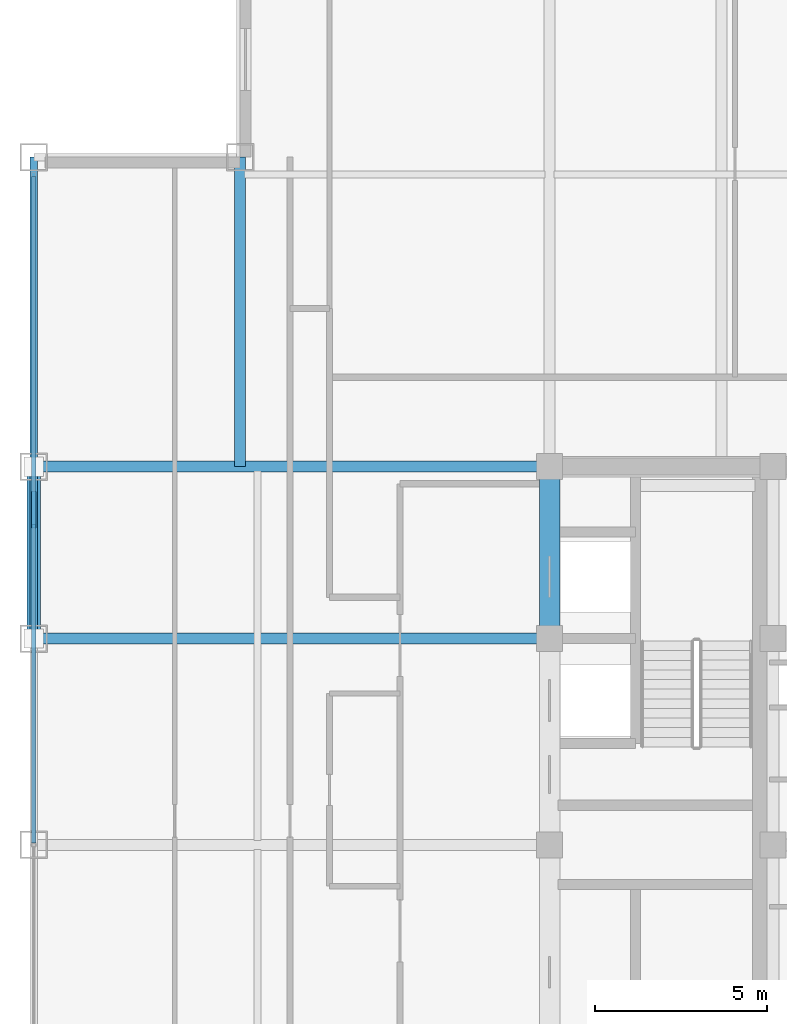
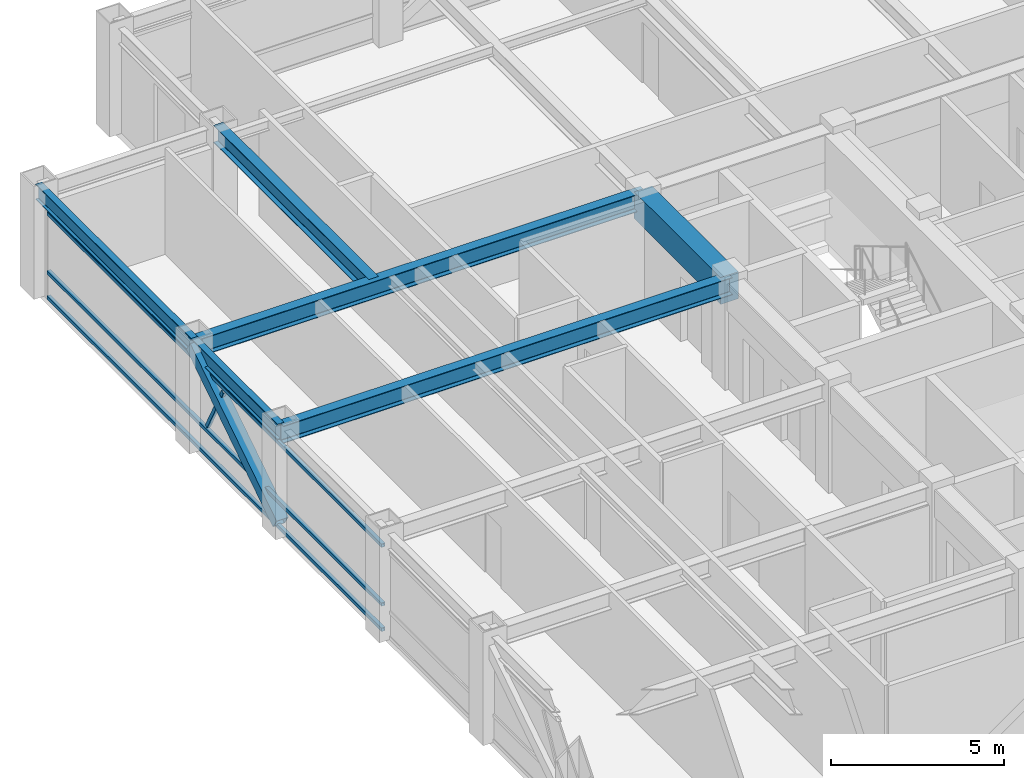
# One storey, part 13 of 28: 6 beams, 5 members, 1 element without a shape of its own.
"""IFC4 building model written with IfcOpenShell, lengths in metres."""

from ifc_helpers import new_model, si_unit, direction, frame, origin, origin_2d, place, context, subcontext, project, spatial, rectangle, hollow_rectangle, i_section, extrude, source, transform, mapped, material, material_profile, profile_set, type_object, element, aggregate, save


model = new_model("IFC4")

# Units and contexts
model_context = context("Model", 3, precision=1e-05, world=origin(), true_north=direction((0.0, 1.0)))
body_context = subcontext(model_context, "Body", "Model", "MODEL_VIEW")
ifc_project = project(units=[si_unit("LENGTHUNIT", "METRE"), si_unit("AREAUNIT", "SQUARE_METRE"), si_unit("VOLUMEUNIT", "CUBIC_METRE"), si_unit("PLANEANGLEUNIT", "RADIAN"), si_unit("MASSUNIT", "GRAM", prefix="KILO")], contexts=[model_context])

# Site, building, storey
site_placement = place(None, origin())
site = spatial("IfcSite", under=ifc_project, at=site_placement, CompositionType="ELEMENT")
building_placement = place(site_placement, origin())
building = spatial("IfcBuilding", under=site, at=building_placement, Name="Khorayat Bourse Tower", CompositionType="ELEMENT")
storey_placement = place(building_placement, frame((0.0, 0.0, 330.300048828125)))
storey = spatial("IfcBuildingStorey", under=building, at=storey_placement, Name="L78", CompositionType="ELEMENT", Elevation=330.300048828125)

# Beams
ifc_material_1 = material(Name="Concrete C60/75", Category="concrete")
ifc_material_profile_1 = material_profile(ifc_material_1, rectangle(XDim=0.60009765625, YDim=0.949951171875, at=origin_2d()), Name="RC 600x950")
ifc_profile_set_1 = profile_set([ifc_material_profile_1], Name="Concrete C60/75")
beam_type_1 = type_object("IfcBeamType", Name="BM-COUP-950", PredefinedType="BEAM", material=ifc_profile_set_1)
shared_shape_1 = source(origin(), body_context, "Body", "SweptSolid", [
    extrude(rectangle(XDim=0.60009765625, YDim=0.949951171875, at=origin_2d()), origin(), (0.0, 0.0, 1.0), 5.0),
])
beam_1_placement = place(storey_placement, frame((-11.0, 6.0, 3.264892578125), z_axis=(0.0, 1.0, 0.0), x_axis=(-1.0, 0.0, 0.0)))
element("IfcBeam", 1, at=beam_1_placement, inside=storey, type_object=beam_type_1, Name="L78 BM-COUP-950 BM-L78-CRX-04", PredefinedType="BEAM", context=body_context, shape_type="MappedRepresentation", body=[
    mapped(shared_shape_1, transform((0.0, 0.0, 0.0), scale=1.0)),
])
ifc_material_2 = material(Name="Steel ASTM A992 Grade 50", Category="steel")
ifc_material_profile_2 = material_profile(ifc_material_2, i_section(OverallWidth=0.214111328125, OverallDepth=0.549072265625, WebThickness=0.0146484375, FlangeThickness=0.023681640625, FilletRadius=0.013916015625, at=origin_2d()), Name="W530X138")
ifc_profile_set_2 = profile_set([ifc_material_profile_2], Name="Steel ASTM A992 Grade 50")
beam_type_2 = type_object("IfcBeamType", Name="BM-SPAN-530", PredefinedType="SPANDREL", material=ifc_profile_set_2)
shared_shape_2 = source(origin(), body_context, "Body", "SweptSolid", [
    extrude(i_section(OverallWidth=0.214111328125, OverallDepth=0.549072265625, WebThickness=0.0146484375, FlangeThickness=0.023681640625, FilletRadius=0.013916015625, at=origin_2d()), origin(), (0.0, 0.0, 1.0), 9.0),
])
beam_2_placement = place(storey_placement, frame((-26.0, 11.0, 3.46533203125), z_axis=(0.0, 1.0, 0.0), x_axis=(-1.0, 0.0, 0.0)))
element("IfcBeam", 2, at=beam_2_placement, inside=storey, type_object=beam_type_2, Name="L78 BM-SPAN-530 BM-L78-SPN-048", PredefinedType="SPANDREL", context=body_context, shape_type="MappedRepresentation", body=[
    mapped(shared_shape_2, transform((0.0, 0.0, 0.0), scale=1.0)),
])
shared_shape_3 = source(origin(), body_context, "Body", "SweptSolid", [
    extrude(i_section(OverallWidth=0.214111328125, OverallDepth=0.549072265625, WebThickness=0.0146484375, FlangeThickness=0.023681640625, FilletRadius=0.013916015625, at=origin_2d()), origin(), (0.0, 0.0, 1.0), 5.0),
])
beam_3_placement = place(storey_placement, frame((-26.0, 6.0, 3.46533203125), z_axis=(0.0, 1.0, 0.0), x_axis=(-1.0, 0.0, 0.0)))
element("IfcBeam", 3, at=beam_3_placement, inside=storey, type_object=beam_type_2, Name="L78 BM-SPAN-530 BM-L78-SPN-049", PredefinedType="SPANDREL", context=body_context, shape_type="MappedRepresentation", body=[
    mapped(shared_shape_3, transform((0.0, 0.0, 0.0), scale=1.0)),
])
ifc_material_profile_3 = material_profile(ifc_material_2, i_section(OverallWidth=0.324951171875, OverallDepth=0.615966796875, WebThickness=0.013916015625, FlangeThickness=0.021484375, FilletRadius=0.01611328125, at=origin_2d()), Name="W610X174")
ifc_profile_set_3 = profile_set([ifc_material_profile_3], Name="Steel ASTM A992 Grade 50")
beam_type_3 = type_object("IfcBeamType", Name="BM-GIRD-610", PredefinedType="BEAM", material=ifc_profile_set_3)
shared_shape_4 = source(origin(), body_context, "Body", "SweptSolid", [
    extrude(i_section(OverallWidth=0.324951171875, OverallDepth=0.615966796875, WebThickness=0.013916015625, FlangeThickness=0.021484375, FilletRadius=0.01611328125, at=origin_2d()), origin(), (0.0, 0.0, 1.0), 15.0),
])
for number, where, z_axis, x_axis, name in (
    (4, (-26.0, 6.0, 3.431884765625), (1.0, 0.0, 0.0), (0.0, 1.0, 0.0), "L78 BM-GIRD-610 BM-L78-RADX-073"),
    (5, (-26.0, 11.0, 3.431884765625), (1.0, 0.0, 0.0), (0.0, 1.0, 0.0), "L78 BM-GIRD-610 BM-L78-RADX-075"),
):
    element("IfcBeam", number, at=place(storey_placement, frame(where, z_axis=z_axis, x_axis=x_axis)), inside=storey, type_object=beam_type_3, Name=name, PredefinedType="BEAM", context=body_context, shape_type="MappedRepresentation", body=[
        mapped(shared_shape_4, transform((0.0, 0.0, 0.0), scale=1.0)),
    ])
shared_shape_5 = source(origin(), body_context, "Body", "SweptSolid", [
    extrude(i_section(OverallWidth=0.324951171875, OverallDepth=0.615966796875, WebThickness=0.013916015625, FlangeThickness=0.021484375, FilletRadius=0.01611328125, at=origin_2d()), origin(), (0.0, 0.0, 1.0), 9.0),
])
beam_4_placement = place(storey_placement, frame((-20.0, 11.0, 3.431884765625), z_axis=(0.0, 1.0, 0.0), x_axis=(-1.0, 0.0, 0.0)))
element("IfcBeam", 6, at=beam_4_placement, inside=storey, type_object=beam_type_3, Name="L78 BM-GIRD-610 BM-L78-CNRY-077", PredefinedType="BEAM", context=body_context, shape_type="MappedRepresentation", body=[
    mapped(shared_shape_5, transform((0.0, 0.0, 0.0), scale=1.0)),
])

# Member
ifc_material_3 = material(Name="Steel EN 10025-4 S460M", Category="steel")
ifc_material_profile_4 = material_profile(ifc_material_3, hollow_rectangle(XDim=0.39990234375, YDim=0.39990234375, WallThickness=0.02197265625, at=origin_2d()), Name="HSS 400x400x22")
ifc_profile_set_4 = profile_set([ifc_material_profile_4], Name="Steel EN 10025-4 S460M")
member_type_1 = type_object("IfcMemberType", Name="MBR-TUBE-400", PredefinedType="BRACE", material=ifc_profile_set_4)
shared_shape_6 = source(origin(), body_context, "Body", "SweptSolid", [
    extrude(hollow_rectangle(XDim=0.39990234375, YDim=0.39990234375, WallThickness=0.02197265625, at=origin_2d()), origin(), (0.0, 0.0, 1.0), 5.9580078125),
])
member_1_placement = place(storey_placement, frame((-26.0, 6.0, 0.25), z_axis=(0.0, 0.839210474455, 0.543806748364), x_axis=(-1.0, 0.0, 0.0)))
element("IfcMember", 7, at=member_1_placement, inside=storey, type_object=member_type_1, Name="L78 Perimeter Tube Brace 06", PredefinedType="BRACE", context=body_context, shape_type="MappedRepresentation", body=[
    mapped(shared_shape_6, transform((0.0, 0.0, 0.0), scale=1.0)),
])

# Curtain wall, members
ifc_material_4 = material(Name="Aluminium EN AW-6063 T6", Category="aluminium")
curtain_wall_type = type_object("IfcCurtainWallType", Name="CW-SYS-04", PredefinedType="NOTDEFINED", material=ifc_material_4)
curtain_wall_placement = place(storey_placement, origin())
curtain_wall = element("IfcCurtainWall", 8, at=curtain_wall_placement, inside=storey, type_object=curtain_wall_type, Name="L78 Curtain Wall CW-L78-W1", PredefinedType="NOTDEFINED")
ifc_material_profile_5 = material_profile(ifc_material_4, hollow_rectangle(XDim=0.1201171875, YDim=0.1201171875, WallThickness=0.0048828125, at=origin_2d()), Name="ALU 120x120x5")
ifc_profile_set_5 = profile_set([ifc_material_profile_5], Name="Aluminium EN AW-6063 T6")
member_type_2 = type_object("IfcMemberType", Name="CWM-DIAG-120", PredefinedType="MULLION", material=ifc_profile_set_5)
shared_shape_7 = source(origin(), body_context, "Body", "SweptSolid", [
    extrude(hollow_rectangle(XDim=0.1201171875, YDim=0.1201171875, WallThickness=0.0048828125, at=origin_2d()), origin(), (0.0, 0.0, 1.0), 2.0341796875),
])
member_2_placement = place(storey_placement, frame((-26.0, 10.21875, 1.08984375), z_axis=(0.0, -0.465790950955, 0.884894790361), x_axis=(1.0, 0.0, 0.0)))
member_2 = element("IfcMember", 9, at=member_2_placement, type_object=member_type_2, Name="CW-L78-W1 Faceted Diagonal Mullion 2", PredefinedType="MULLION", context=body_context, shape_type="MappedRepresentation", body=[
    mapped(shared_shape_7, transform((0.0, 0.0, 0.0), scale=1.0)),
])
ifc_material_profile_6 = material_profile(ifc_material_4, hollow_rectangle(XDim=0.1201171875, YDim=0.1201171875, WallThickness=0.0048828125, at=origin_2d()), Name="ALU 120x120x5")
ifc_profile_set_6 = profile_set([ifc_material_profile_6], Name="Aluminium EN AW-6063 T6")
member_type_3 = type_object("IfcMemberType", Name="CWT-HORZ-120", PredefinedType="USERDEFINED", material=ifc_profile_set_6)
shared_shape_8 = source(origin(), body_context, "Body", "SweptSolid", [
    extrude(hollow_rectangle(XDim=0.1201171875, YDim=0.1201171875, WallThickness=0.0048828125, at=origin_2d()), origin(), (0.0, 0.0, 1.0), 19.369873046875),
])
member_3_placement = place(storey_placement, frame((-26.0, 0.06005859375, 0.06005859375), z_axis=(0.0, 1.0, 0.0), x_axis=(-1.0, 0.0, 0.0)))
member_3 = element("IfcMember", 10, at=member_3_placement, type_object=member_type_3, Name="CW-L78-W1 Horizontal Transom 2-1", ObjectType="TRANSOM", PredefinedType="USERDEFINED", context=body_context, shape_type="MappedRepresentation", body=[
    mapped(shared_shape_8, transform((0.0, 0.0, 0.0), scale=1.0)),
])
member_4_placement = place(storey_placement, frame((-26.0, 0.06005859375, 0.949951171875), z_axis=(0.0, 1.0, 0.0), x_axis=(-1.0, 0.0, 0.0)))
member_4 = element("IfcMember", 11, at=member_4_placement, type_object=member_type_3, Name="CW-L78-W1 Horizontal Transom 2-2", ObjectType="TRANSOM", PredefinedType="USERDEFINED", context=body_context, shape_type="MappedRepresentation", body=[
    mapped(shared_shape_8, transform((0.0, 0.0, 0.0), scale=1.0)),
])
member_5_placement = place(storey_placement, frame((-26.0, 0.06005859375, 3.030029296875), z_axis=(0.0, 1.0, 0.0), x_axis=(-1.0, 0.0, 0.0)))
member_5 = element("IfcMember", 12, at=member_5_placement, type_object=member_type_3, Name="CW-L78-W1 Horizontal Transom 2-3", ObjectType="TRANSOM", PredefinedType="USERDEFINED", context=body_context, shape_type="MappedRepresentation", body=[
    mapped(shared_shape_8, transform((0.0, 0.0, 0.0), scale=1.0)),
])
aggregate(curtain_wall, [member_3, member_4, member_5, member_2])

save(model, "model.ifc")
